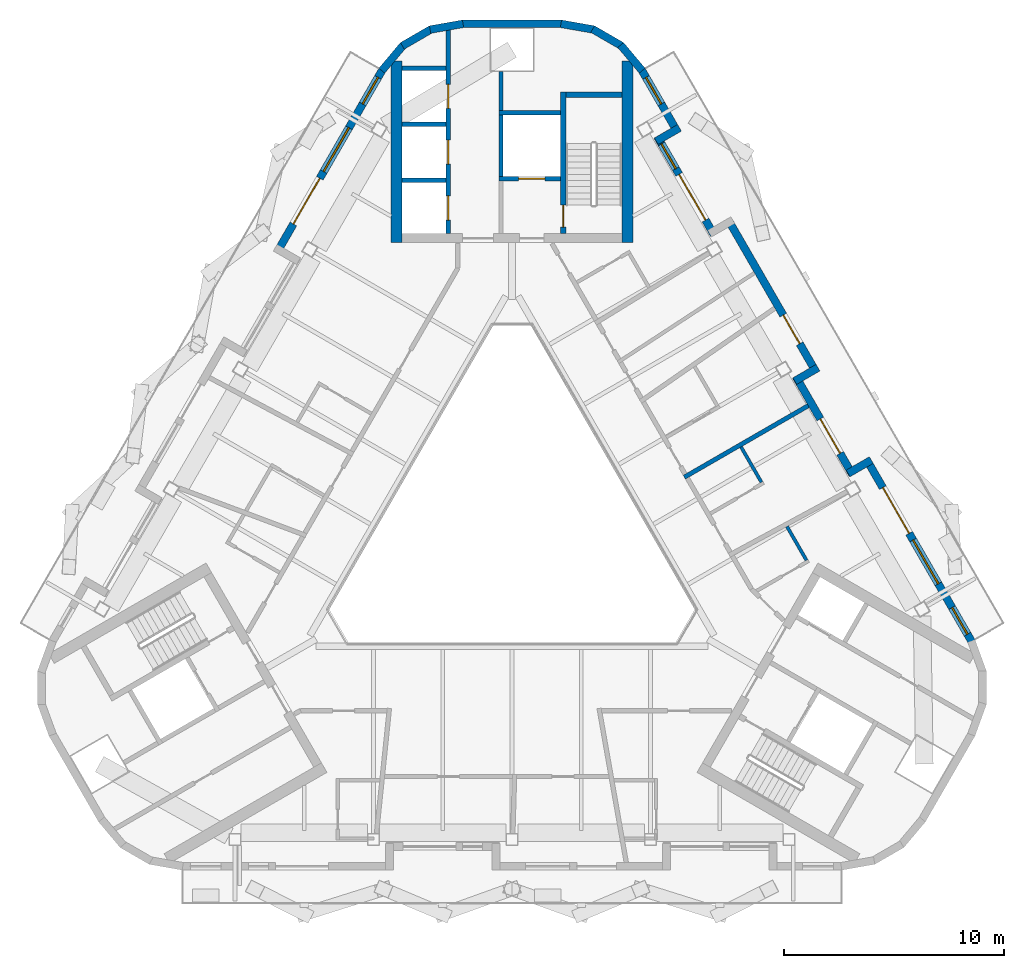
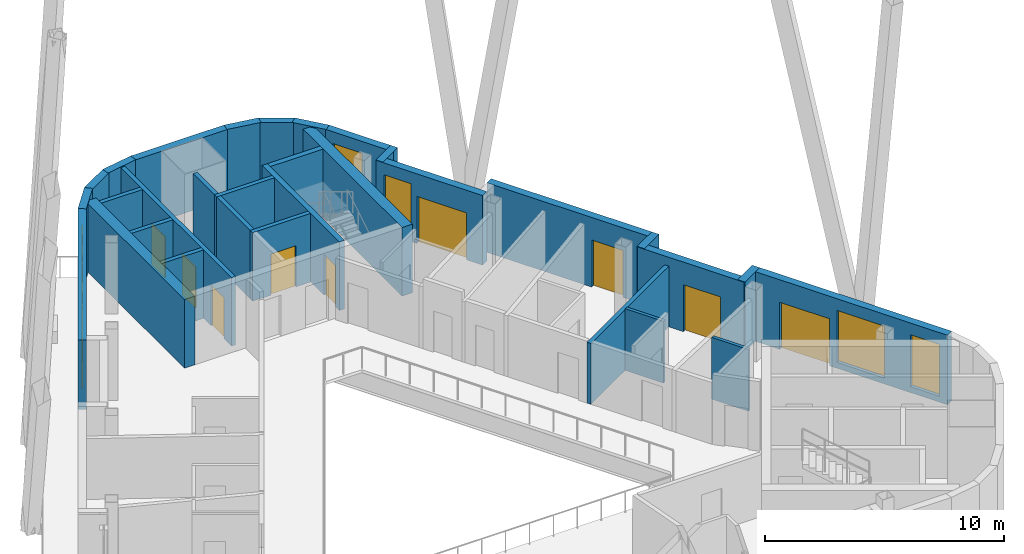
# One storey, part 6 of 12: 31 walls, 10 doors, 6 windows, 16 openings.
"""IFC4 building model written with IfcOpenShell, lengths in metres."""

from ifc_helpers import new_model, si_unit, direction, frame, frame_2d, origin, place, context, subcontext, project, spatial, rectangle, extrude, material, layer, layer_set, type_object, element, fill, save


model = new_model("IFC4")

# Units and contexts
model_context = context("Model", 3, precision=1e-05, world=origin(), true_north=direction((0.0, 1.0)))
body_context = subcontext(model_context, "Body", "Model", "MODEL_VIEW")
ifc_project = project(units=[si_unit("LENGTHUNIT", "METRE"), si_unit("AREAUNIT", "SQUARE_METRE"), si_unit("VOLUMEUNIT", "CUBIC_METRE"), si_unit("PLANEANGLEUNIT", "RADIAN"), si_unit("MASSUNIT", "GRAM", prefix="KILO")], contexts=[model_context])

# Site, building, storey
site_placement = place(None, origin())
site = spatial("IfcSite", under=ifc_project, at=site_placement, CompositionType="ELEMENT")
building_placement = place(site_placement, origin())
building = spatial("IfcBuilding", under=site, at=building_placement, Name="Apuvela Tower Hotel", CompositionType="ELEMENT")
storey_placement = place(building_placement, frame((0.0, 0.0, 324.39990234375)))
storey = spatial("IfcBuildingStorey", under=building, at=storey_placement, Name="L81", CompositionType="ELEMENT", Elevation=324.39990234375)

# Walls
ifc_material_1 = material(Name="Concrete C50/60", Category="concrete")
ifc_layer_1 = layer(ifc_material_1, 0.5)
ifc_layer_set_1 = layer_set([ifc_layer_1], Name="COR-WALL-CORE-500")
wall_type_1 = type_object("IfcWallType", Name="COR-WALL-CORE-500", PredefinedType="SHEAR", material=ifc_layer_set_1)
for number, where, z_axis, x_axis, name in (
    (1, (5.25, 12.89990234375, 0.0), (0.0, 0.0, 1.0), (0.0, 1.0, 0.0), "Core wall N"),
    (2, (-5.25, 12.89990234375, 0.0), (0.0, 0.0, 1.0), (0.0, 1.0, 0.0), "Core wall N"),
):
    element("IfcWall", number, at=place(storey_placement, frame(where, z_axis=z_axis, x_axis=x_axis)), inside=storey, type_object=wall_type_1, Name=name, PredefinedType="SHEAR", context=body_context, shape_type="SweptSolid", body=[
        extrude(rectangle(XDim=8.26708984375, YDim=0.5, at=frame_2d((4.133544921875, 0.0))), origin(), (0.0, 0.0, 1.0), 3.5),
    ])
ifc_layer_2 = layer(ifc_material_1, 0.199951171875)
ifc_layer_set_2 = layer_set([ifc_layer_2], Name="COR-WALL-SHAFT-200")
wall_type_2 = type_object("IfcWallType", Name="COR-WALL-SHAFT-200", PredefinedType="SHEAR", material=ifc_layer_set_2)
wall_1_placement = place(storey_placement, frame((2.199951171875, 18.800048828125, 0.0), z_axis=(0.0, 0.0, 1.0), x_axis=(-1.0, 0.0, 0.0)))
element("IfcWall", 3, at=wall_1_placement, inside=storey, type_object=wall_type_2, Name="Shaft wall N", PredefinedType="SHEAR", context=body_context, shape_type="SweptSolid", body=[
    extrude(rectangle(XDim=2.800048828125, YDim=0.199951171875, at=frame_2d((1.39990234375, 0.0))), origin(), (0.0, 0.0, 1.0), 3.5),
])

# Wall, opening, door
wall_2_placement = place(storey_placement, frame((2.199951171875, 15.800048828125, 0.0), z_axis=(0.0, 0.0, 1.0), x_axis=(-1.0, 0.0, 0.0)))
wall_2 = element("IfcWall", 4, at=wall_2_placement, inside=storey, type_object=wall_type_2, Name="Shaft wall N", PredefinedType="SHEAR", context=body_context, shape_type="SweptSolid", body=[
    extrude(rectangle(XDim=2.800048828125, YDim=0.199951171875, at=frame_2d((1.39990234375, 0.0))), origin(), (0.0, 0.0, 1.0), 3.5),
])
opening_1_placement = place(wall_2_placement, frame((0.699951171875, 0.0, 0.0)))
opening_1 = element("IfcOpeningElement", 5, at=opening_1_placement, cuts=wall_2, Name="Opening N-LD-FS1", PredefinedType="OPENING", context=body_context, shape_type="SweptSolid", body=[
    extrude(rectangle(XDim=1.199951171875, YDim=2.10009765625, at=frame_2d((0.60009765625, 1.050048828125))), frame((0.0, 0.10986328125, 0.0), z_axis=(0.0, -1.0, 0.0), x_axis=(1.0, 0.0, 0.0)), (0.0, 0.0, 1.0), 0.219970703125),
])
ifc_material_2 = material(Name="Stainless steel lift landing door", Category="steel")
door_type_1 = type_object("IfcDoorType", Name="COR-LD-1200", OperationType="DOUBLE_DOOR_SLIDING", PredefinedType="DOOR", material=ifc_material_2)
door_1_placement = place(opening_1_placement, origin())
door_1 = element("IfcDoor", 6, at=door_1_placement, inside=storey, type_object=door_type_1, Name="Lift landing door N-LD-FS1", OperationType="DOUBLE_DOOR_SLIDING", OverallHeight=2.10009765625, OverallWidth=1.199951171875, PredefinedType="DOOR", context=body_context, shape_type="SweptSolid", body=[
    extrude(rectangle(XDim=1.199951171875, YDim=2.10009765625, at=frame_2d((0.60009765625, 1.050048828125))), frame((0.0, 0.02490234375, 0.0), z_axis=(0.0, -1.0, 0.0), x_axis=(1.0, 0.0, 0.0)), (0.0, 0.0, 1.0), 0.050048828125),
])
fill(opening_1, door_1)

# Wall
wall_3_placement = place(storey_placement, frame((-0.5, 15.89990234375, 0.0), z_axis=(0.0, 0.0, 1.0), x_axis=(0.0, 1.0, 0.0)))
element("IfcWall", 7, at=wall_3_placement, inside=storey, type_object=wall_type_2, Name="Shaft wall N", PredefinedType="SHEAR", context=body_context, shape_type="SweptSolid", body=[
    extrude(rectangle(XDim=2.800048828125, YDim=0.199951171875, at=frame_2d((1.39990234375, 0.0))), origin(), (0.0, 0.0, 1.0), 3.5),
])

# Wall, openings, doors
wall_4_placement = place(storey_placement, frame((-2.89990234375, 13.300048828125, 0.0), z_axis=(0.0, 0.0, 1.0), x_axis=(0.0, 1.0, 0.0)))
wall_4 = element("IfcWall", 8, at=wall_4_placement, inside=storey, type_object=wall_type_2, Name="Shaft wall N", PredefinedType="SHEAR", context=body_context, shape_type="SweptSolid", body=[
    extrude(rectangle(XDim=9.272705078125, YDim=0.199951171875, at=frame_2d((4.63623046875, 0.0))), origin(), (0.0, 0.0, 1.0), 3.5),
])
opening_2_placement = place(wall_4_placement, frame((0.6201171875, 0.0, 0.0)))
opening_2 = element("IfcOpeningElement", 9, at=opening_2_placement, cuts=wall_4, Name="Opening N-LD-HR1", PredefinedType="OPENING", context=body_context, shape_type="SweptSolid", body=[
    extrude(rectangle(XDim=1.10009765625, YDim=2.10009765625, at=frame_2d((0.550048828125, 1.050048828125))), frame((0.0, 0.10986328125, 0.0), z_axis=(0.0, -1.0, 0.0), x_axis=(1.0, 0.0, 0.0)), (0.0, 0.0, 1.0), 0.219970703125),
])
opening_3_placement = place(wall_4_placement, frame((3.159912109375, 0.0, 0.0)))
opening_3 = element("IfcOpeningElement", 10, at=opening_3_placement, cuts=wall_4, Name="Opening N-LD-HR2", PredefinedType="OPENING", context=body_context, shape_type="SweptSolid", body=[
    extrude(rectangle(XDim=1.10009765625, YDim=2.10009765625, at=frame_2d((0.550048828125, 1.050048828125))), frame((0.0, 0.10986328125, 0.0), z_axis=(0.0, -1.0, 0.0), x_axis=(1.0, 0.0, 0.0)), (0.0, 0.0, 1.0), 0.219970703125),
])
opening_4_placement = place(wall_4_placement, frame((5.699951171875, 0.0, 0.0)))
opening_4 = element("IfcOpeningElement", 11, at=opening_4_placement, cuts=wall_4, Name="Opening N-LD-HR4", PredefinedType="OPENING", context=body_context, shape_type="SweptSolid", body=[
    extrude(rectangle(XDim=1.10009765625, YDim=2.10009765625, at=frame_2d((0.550048828125, 1.050048828125))), frame((0.0, 0.10986328125, 0.0), z_axis=(0.0, -1.0, 0.0), x_axis=(1.0, 0.0, 0.0)), (0.0, 0.0, 1.0), 0.219970703125),
])
door_type_2 = type_object("IfcDoorType", Name="COR-LD-1100", OperationType="DOUBLE_DOOR_SLIDING", PredefinedType="DOOR", material=ifc_material_2)
door_2_placement = place(opening_2_placement, origin())
door_2 = element("IfcDoor", 12, at=door_2_placement, inside=storey, type_object=door_type_2, Name="Lift landing door N-LD-HR1", OperationType="DOUBLE_DOOR_SLIDING", OverallHeight=2.10009765625, OverallWidth=1.10009765625, PredefinedType="DOOR", context=body_context, shape_type="SweptSolid", body=[
    extrude(rectangle(XDim=1.10009765625, YDim=2.10009765625, at=frame_2d((0.550048828125, 1.050048828125))), frame((0.0, 0.02490234375, 0.0), z_axis=(0.0, -1.0, 0.0), x_axis=(1.0, 0.0, 0.0)), (0.0, 0.0, 1.0), 0.050048828125),
])
fill(opening_2, door_2)
door_3_placement = place(opening_3_placement, origin())
door_3 = element("IfcDoor", 13, at=door_3_placement, inside=storey, type_object=door_type_2, Name="Lift landing door N-LD-HR2", OperationType="DOUBLE_DOOR_SLIDING", OverallHeight=2.10009765625, OverallWidth=1.10009765625, PredefinedType="DOOR", context=body_context, shape_type="SweptSolid", body=[
    extrude(rectangle(XDim=1.10009765625, YDim=2.10009765625, at=frame_2d((0.550048828125, 1.050048828125))), frame((0.0, 0.02490234375, 0.0), z_axis=(0.0, -1.0, 0.0), x_axis=(1.0, 0.0, 0.0)), (0.0, 0.0, 1.0), 0.050048828125),
])
fill(opening_3, door_3)
door_4_placement = place(opening_4_placement, origin())
door_4 = element("IfcDoor", 14, at=door_4_placement, inside=storey, type_object=door_type_2, Name="Lift landing door N-LD-HR4", OperationType="DOUBLE_DOOR_SLIDING", OverallHeight=2.10009765625, OverallWidth=1.10009765625, PredefinedType="DOOR", context=body_context, shape_type="SweptSolid", body=[
    extrude(rectangle(XDim=1.10009765625, YDim=2.10009765625, at=frame_2d((0.550048828125, 1.050048828125))), frame((0.0, 0.02490234375, 0.0), z_axis=(0.0, -1.0, 0.0), x_axis=(1.0, 0.0, 0.0)), (0.0, 0.0, 1.0), 0.050048828125),
])
fill(opening_4, door_4)

# Walls
wall_5_placement = place(storey_placement, frame((-0.5, 18.89990234375, 0.0), z_axis=(0.0, 0.0, 1.0), x_axis=(0.0, 1.0, 0.0)))
element("IfcWall", 15, at=wall_5_placement, inside=storey, type_object=wall_type_2, Name="Shaft wall N", PredefinedType="SHEAR", context=body_context, shape_type="SweptSolid", body=[
    extrude(rectangle(XDim=1.77392578125, YDim=0.199951171875, at=frame_2d((0.886962890625, 0.0))), origin(), (0.0, 0.0, 1.0), 3.5),
])
for number, where, z_axis, x_axis, name in (
    (16, (-3.0, 15.739990234375, 0.0), (0.0, 0.0, 1.0), (-1.0, 0.0, 0.0), "Shaft wall N"),
    (17, (-3.0, 18.280029296875, 0.0), (0.0, 0.0, 1.0), (-1.0, 0.0, 0.0), "Shaft wall N"),
    (18, (-3.0, 20.820068359375, 0.0), (0.0, 0.0, 1.0), (-1.0, 0.0, 0.0), "Shaft wall N"),
):
    element("IfcWall", number, at=place(storey_placement, frame(where, z_axis=z_axis, x_axis=x_axis)), inside=storey, type_object=wall_type_2, Name=name, PredefinedType="SHEAR", context=body_context, shape_type="SweptSolid", body=[
        extrude(rectangle(XDim=2.0, YDim=0.199951171875, at=frame_2d((1.0, 0.0))), origin(), (0.0, 0.0, 1.0), 3.5),
    ])

# Wall, opening, door
ifc_layer_3 = layer(ifc_material_1, 0.25)
ifc_layer_set_3 = layer_set([ifc_layer_3], Name="COR-WALL-STAIR-250")
wall_type_3 = type_object("IfcWallType", Name="COR-WALL-STAIR-250", PredefinedType="SHEAR", material=ifc_layer_set_3)
wall_6_placement = place(storey_placement, frame((2.324951171875, 13.300048828125, 0.0), z_axis=(0.0, 0.0, 1.0), x_axis=(0.0, 1.0, 0.0)))
wall_6 = element("IfcWall", 19, at=wall_6_placement, inside=storey, type_object=wall_type_3, Name="Stair wall N", PredefinedType="SHEAR", context=body_context, shape_type="SweptSolid", body=[
    extrude(rectangle(XDim=6.449951171875, YDim=0.25, at=frame_2d((3.22509765625, 0.0))), origin(), (0.0, 0.0, 1.0), 3.5),
])
opening_5_placement = place(wall_6_placement, frame((0.300048828125, 0.0, 0.0)))
opening_5 = element("IfcOpeningElement", 20, at=opening_5_placement, cuts=wall_6, Name="Opening N-SD", PredefinedType="OPENING", context=body_context, shape_type="SweptSolid", body=[
    extrude(rectangle(XDim=1.0, YDim=2.10009765625, at=frame_2d((0.5, 1.050048828125))), frame((0.0, 0.135009765625, 0.0), z_axis=(0.0, -1.0, 0.0), x_axis=(1.0, 0.0, 0.0)), (0.0, 0.0, 1.0), 0.27001953125),
])
ifc_material_3 = material(Name="Steel fire door, powder coated", Category="steel")
door_type_3 = type_object("IfcDoorType", Name="COR-SD-1000", OperationType="NOTDEFINED", PredefinedType="DOOR", material=ifc_material_3)
door_5_placement = place(opening_5_placement, frame((1.0, 0.0, 0.0), z_axis=(0.0, 0.0, 1.0), x_axis=(-1.0, 0.0, 0.0)))
door_5 = element("IfcDoor", 21, at=door_5_placement, inside=storey, type_object=door_type_3, Name="Stair door N-SD", OperationType="SINGLE_SWING_LEFT", OverallHeight=2.10009765625, OverallWidth=1.0, PredefinedType="DOOR", context=body_context, shape_type="SweptSolid", body=[
    extrude(rectangle(XDim=1.0, YDim=2.10009765625, at=frame_2d((0.5, 1.050048828125))), frame((0.0, 0.02490234375, 0.0), z_axis=(0.0, -1.0, 0.0), x_axis=(1.0, 0.0, 0.0)), (0.0, 0.0, 1.0), 0.050048828125),
])
fill(opening_5, door_5)

# Wall
wall_7_placement = place(storey_placement, frame((5.0, 19.625, 0.0), z_axis=(0.0, 0.0, 1.0), x_axis=(-1.0, 0.0, 0.0)))
element("IfcWall", 22, at=wall_7_placement, inside=storey, type_object=wall_type_3, Name="Stair wall N", PredefinedType="SHEAR", context=body_context, shape_type="SweptSolid", body=[
    extrude(rectangle(XDim=2.550048828125, YDim=0.25, at=frame_2d((1.27490234375, 0.0))), origin(), (0.0, 0.0, 1.0), 3.5),
])

# Wall, openings, door, windows
ifc_material_4 = material(Name="Concrete C40/50, dark pigmented precast panel", Category="concrete")
ifc_layer_4 = layer(ifc_material_4, 0.35009765625)
ifc_layer_set_4 = layer_set([ifc_layer_4], Name="ENV-WALL-350")
wall_type_4 = type_object("IfcWallType", Name="ENV-WALL-350", PredefinedType="SOLIDWALL", material=ifc_layer_set_4)
wall_8_placement = place(storey_placement, frame((-5.9052734375, 20.742431640625, 0.0), z_axis=(0.0, 0.0, 1.0), x_axis=(-0.500003254449, -0.866023524819, 0.0)))
wall_8 = element("IfcWall", 23, at=wall_8_placement, inside=storey, type_object=wall_type_4, Name="External wall L81-01", PredefinedType="SOLIDWALL", context=body_context, shape_type="SweptSolid", body=[
    extrude(rectangle(XDim=9.6083984375, YDim=0.35009765625, at=frame_2d((4.80419921875, 0.0))), origin(), (0.0, 0.0, 1.0), 3.550048828125),
])
opening_6_placement = place(wall_8_placement, frame((0.38037109375, 0.0, 0.300048828125)))
opening_6 = element("IfcOpeningElement", 24, at=opening_6_placement, cuts=wall_8, Name="Opening WN14", PredefinedType="OPENING", context=body_context, shape_type="SweptSolid", body=[
    extrude(rectangle(XDim=1.39990234375, YDim=2.64990234375, at=frame_2d((0.699951171875, 1.324951171875))), frame((0.0, 0.18505859375, 0.0), z_axis=(0.0, -1.0, 0.0), x_axis=(1.0, 0.0, 0.0)), (0.0, 0.0, 1.0), 0.3701171875),
])
opening_7_placement = place(wall_8_placement, frame((5.683349609375, 0.0, 0.0)))
opening_7 = element("IfcOpeningElement", 25, at=opening_7_placement, cuts=wall_8, Name="Opening BD24", PredefinedType="OPENING", context=body_context, shape_type="SweptSolid", body=[
    extrude(rectangle(XDim=2.39990234375, YDim=2.39990234375, at=frame_2d((1.199951171875, 1.199951171875))), frame((0.0, 0.18505859375, 0.0), z_axis=(0.0, -1.0, 0.0), x_axis=(1.0, 0.0, 0.0)), (0.0, 0.0, 1.0), 0.3701171875),
])
opening_8_placement = place(wall_8_placement, frame((3.031005859375, 0.0, 0.300048828125)))
opening_8 = element("IfcOpeningElement", 26, at=opening_8_placement, cuts=wall_8, Name="Opening WN23", PredefinedType="OPENING", context=body_context, shape_type="SweptSolid", body=[
    extrude(rectangle(XDim=2.300048828125, YDim=2.64990234375, at=frame_2d((1.14990234375, 1.324951171875))), frame((0.0, 0.18505859375, 0.0), z_axis=(0.0, -1.0, 0.0), x_axis=(1.0, 0.0, 0.0)), (0.0, 0.0, 1.0), 0.3701171875),
])
ifc_material_5 = material(Name="Aluminium 6063-T6, dark bronze anodised frame with dark tinted laminated glass", Category="aluminium")
door_type_4 = type_object("IfcDoorType", Name="ENV-DOOR-BALCONY-2400x2400", OperationType="SLIDING_TO_LEFT", PredefinedType="DOOR", material=ifc_material_5)
door_6_placement = place(opening_7_placement, frame((2.39990234375, 0.0, 0.0), z_axis=(0.0, 0.0, 1.0), x_axis=(-1.0, 0.0, 0.0)))
door_6 = element("IfcDoor", 27, at=door_6_placement, inside=storey, type_object=door_type_4, Name="Balcony door BD24", OperationType="SLIDING_TO_LEFT", OverallHeight=2.39990234375, OverallWidth=2.39990234375, PredefinedType="DOOR", context=body_context, shape_type="SweptSolid", body=[
    extrude(rectangle(XDim=2.39990234375, YDim=2.39990234375, at=frame_2d((1.199951171875, 1.199951171875))), frame((0.0, 0.02490234375, 0.0), z_axis=(0.0, -1.0, 0.0), x_axis=(1.0, 0.0, 0.0)), (0.0, 0.0, 1.0), 0.050048828125),
])
fill(opening_7, door_6)
ifc_material_6 = material(Name="Glass, dark tinted laminated insulated glazing unit", Category="glass")
window_type_1 = type_object("IfcWindowType", Name="ENV-WIN-1400x2650", PartitioningType="SINGLE_PANEL", PredefinedType="WINDOW", material=ifc_material_6)
window_1_placement = place(opening_6_placement, origin())
window_1 = element("IfcWindow", 28, at=window_1_placement, inside=storey, type_object=window_type_1, Name="Window WN14", OverallHeight=2.64990234375, OverallWidth=1.39990234375, PartitioningType="SINGLE_PANEL", PredefinedType="WINDOW", context=body_context, shape_type="SweptSolid", body=[
    extrude(rectangle(XDim=1.39990234375, YDim=2.64990234375, at=frame_2d((0.699951171875, 1.324951171875))), frame((0.0, 0.030029296875, 0.0), z_axis=(0.0, -1.0, 0.0), x_axis=(1.0, 0.0, 0.0)), (0.0, 0.0, 1.0), 0.06005859375),
])
fill(opening_6, window_1)
window_type_2 = type_object("IfcWindowType", Name="ENV-WIN-2300x2650", PartitioningType="SINGLE_PANEL", PredefinedType="WINDOW", material=ifc_material_6)
window_2_placement = place(opening_8_placement, origin())
window_2 = element("IfcWindow", 29, at=window_2_placement, inside=storey, type_object=window_type_2, Name="Window WN23", OverallHeight=2.64990234375, OverallWidth=2.300048828125, PartitioningType="SINGLE_PANEL", PredefinedType="WINDOW", context=body_context, shape_type="SweptSolid", body=[
    extrude(rectangle(XDim=2.300048828125, YDim=2.64990234375, at=frame_2d((1.14990234375, 1.324951171875))), frame((0.0, 0.030029296875, 0.0), z_axis=(0.0, -1.0, 0.0), x_axis=(1.0, 0.0, 0.0)), (0.0, 0.0, 1.0), 0.06005859375),
])
fill(opening_8, window_2)

wall_9_placement = place(storey_placement, frame((20.916259765625, -5.257080078125, 0.0), z_axis=(0.0, 0.0, 1.0), x_axis=(-0.500022310942, 0.866012522173, 0.0)))
wall_9 = element("IfcWall", 30, at=wall_9_placement, inside=storey, type_object=wall_type_4, Name="External wall L81-33", PredefinedType="SOLIDWALL", context=body_context, shape_type="SweptSolid", body=[
    extrude(rectangle(XDim=9.6083984375, YDim=0.35009765625, at=frame_2d((4.80419921875, 0.0))), origin(), (0.0, 0.0, 1.0), 3.550048828125),
])
opening_9_placement = place(wall_9_placement, frame((0.380615234375, 0.0, 0.300048828125)))
opening_9 = element("IfcOpeningElement", 31, at=opening_9_placement, cuts=wall_9, Name="Opening WN14", PredefinedType="OPENING", context=body_context, shape_type="SweptSolid", body=[
    extrude(rectangle(XDim=1.39990234375, YDim=2.64990234375, at=frame_2d((0.699951171875, 1.324951171875))), frame((0.0, 0.18505859375, 0.0), z_axis=(0.0, -1.0, 0.0), x_axis=(1.0, 0.0, 0.0)), (0.0, 0.0, 1.0), 0.3701171875),
])
opening_10_placement = place(wall_9_placement, frame((5.683349609375, 0.0, 0.0)))
opening_10 = element("IfcOpeningElement", 32, at=opening_10_placement, cuts=wall_9, Name="Opening BD24", PredefinedType="OPENING", context=body_context, shape_type="SweptSolid", body=[
    extrude(rectangle(XDim=2.39990234375, YDim=2.39990234375, at=frame_2d((1.199951171875, 1.199951171875))), frame((0.0, 0.18505859375, 0.0), z_axis=(0.0, -1.0, 0.0), x_axis=(1.0, 0.0, 0.0)), (0.0, 0.0, 1.0), 0.3701171875),
])
opening_11_placement = place(wall_9_placement, frame((3.031494140625, 0.0, 0.300048828125)))
opening_11 = element("IfcOpeningElement", 33, at=opening_11_placement, cuts=wall_9, Name="Opening WN23", PredefinedType="OPENING", context=body_context, shape_type="SweptSolid", body=[
    extrude(rectangle(XDim=2.300048828125, YDim=2.64990234375, at=frame_2d((1.14990234375, 1.324951171875))), frame((0.0, 0.18505859375, 0.0), z_axis=(0.0, -1.0, 0.0), x_axis=(1.0, 0.0, 0.0)), (0.0, 0.0, 1.0), 0.3701171875),
])
door_7_placement = place(opening_10_placement, frame((2.39990234375, 0.0, 0.0), z_axis=(0.0, 0.0, 1.0), x_axis=(-1.0, 0.0, 0.0)))
door_7 = element("IfcDoor", 34, at=door_7_placement, inside=storey, type_object=door_type_4, Name="Balcony door BD24", OperationType="SLIDING_TO_LEFT", OverallHeight=2.39990234375, OverallWidth=2.39990234375, PredefinedType="DOOR", context=body_context, shape_type="SweptSolid", body=[
    extrude(rectangle(XDim=2.39990234375, YDim=2.39990234375, at=frame_2d((1.199951171875, 1.199951171875))), frame((0.0, 0.02490234375, 0.0), z_axis=(0.0, -1.0, 0.0), x_axis=(1.0, 0.0, 0.0)), (0.0, 0.0, 1.0), 0.050048828125),
])
fill(opening_10, door_7)
window_3_placement = place(opening_9_placement, origin())
window_3 = element("IfcWindow", 35, at=window_3_placement, inside=storey, type_object=window_type_1, Name="Window WN14", OverallHeight=2.64990234375, OverallWidth=1.39990234375, PartitioningType="SINGLE_PANEL", PredefinedType="WINDOW", context=body_context, shape_type="SweptSolid", body=[
    extrude(rectangle(XDim=1.39990234375, YDim=2.64990234375, at=frame_2d((0.699951171875, 1.324951171875))), frame((0.0, 0.030029296875, 0.0), z_axis=(0.0, -1.0, 0.0), x_axis=(1.0, 0.0, 0.0)), (0.0, 0.0, 1.0), 0.06005859375),
])
fill(opening_9, window_3)
window_4_placement = place(opening_11_placement, origin())
window_4 = element("IfcWindow", 36, at=window_4_placement, inside=storey, type_object=window_type_2, Name="Window WN23", OverallHeight=2.64990234375, OverallWidth=2.300048828125, PartitioningType="SINGLE_PANEL", PredefinedType="WINDOW", context=body_context, shape_type="SweptSolid", body=[
    extrude(rectangle(XDim=2.300048828125, YDim=2.64990234375, at=frame_2d((1.14990234375, 1.324951171875))), frame((0.0, 0.030029296875, 0.0), z_axis=(0.0, -1.0, 0.0), x_axis=(1.0, 0.0, 0.0)), (0.0, 0.0, 1.0), 0.06005859375),
])
fill(opening_11, window_4)

# Wall
wall_10_placement = place(storey_placement, frame((16.35107421875, 3.0, 0.0), z_axis=(0.0, 0.0, 1.0), x_axis=(-0.866005645448, -0.500034220881, 0.0)))
element("IfcWall", 37, at=wall_10_placement, inside=storey, type_object=wall_type_4, Name="External wall L81-34", PredefinedType="SOLIDWALL", context=body_context, shape_type="SweptSolid", body=[
    extrude(rectangle(XDim=1.22021484375, YDim=0.35009765625, at=frame_2d((0.610107421875, 0.0))), origin(), (0.0, 0.0, 1.0), 3.550048828125),
])

# Wall, opening, door
wall_11_placement = place(storey_placement, frame((15.492431640625, 2.3369140625, 0.0), z_axis=(0.0, 0.0, 1.0), x_axis=(-0.499999159329, 0.866025889145, 0.0)))
wall_11 = element("IfcWall", 38, at=wall_11_placement, inside=storey, type_object=wall_type_4, Name="External wall L81-35", PredefinedType="SOLIDWALL", context=body_context, shape_type="SweptSolid", body=[
    extrude(rectangle(XDim=5.142578125, YDim=0.35009765625, at=frame_2d((2.5712890625, 0.0))), origin(), (0.0, 0.0, 1.0), 3.550048828125),
])
opening_12_placement = place(wall_11_placement, frame((1.12158203125, 0.0, 0.0)))
opening_12 = element("IfcOpeningElement", 39, at=opening_12_placement, cuts=wall_11, Name="Opening BD18", PredefinedType="OPENING", context=body_context, shape_type="SweptSolid", body=[
    extrude(rectangle(XDim=1.800048828125, YDim=2.39990234375, at=frame_2d((0.89990234375, 1.199951171875))), frame((0.0, 0.18505859375, 0.0), z_axis=(0.0, -1.0, 0.0), x_axis=(1.0, 0.0, 0.0)), (0.0, 0.0, 1.0), 0.3701171875),
])
door_type_5 = type_object("IfcDoorType", Name="ENV-DOOR-BALCONY-1800x2400", OperationType="SLIDING_TO_LEFT", PredefinedType="DOOR", material=ifc_material_5)
door_8_placement = place(opening_12_placement, frame((1.800048828125, 0.0, 0.0), z_axis=(0.0, 0.0, 1.0), x_axis=(-1.0, 0.0, 0.0)))
door_8 = element("IfcDoor", 40, at=door_8_placement, inside=storey, type_object=door_type_5, Name="Balcony door BD18", OperationType="SLIDING_TO_LEFT", OverallHeight=2.39990234375, OverallWidth=1.800048828125, PredefinedType="DOOR", context=body_context, shape_type="SweptSolid", body=[
    extrude(rectangle(XDim=1.800048828125, YDim=2.39990234375, at=frame_2d((0.89990234375, 1.199951171875))), frame((0.0, 0.02490234375, 0.0), z_axis=(0.0, -1.0, 0.0), x_axis=(1.0, 0.0, 0.0)), (0.0, 0.0, 1.0), 0.050048828125),
])
fill(opening_12, door_8)

# Wall
wall_12_placement = place(storey_placement, frame((12.8681640625, 6.59228515625, 0.0), z_axis=(0.0, 0.0, 1.0), x_axis=(0.866005645448, 0.500034220881, 0.0)))
element("IfcWall", 41, at=wall_12_placement, inside=storey, type_object=wall_type_4, Name="External wall L81-36", PredefinedType="SOLIDWALL", context=body_context, shape_type="SweptSolid", body=[
    extrude(rectangle(XDim=1.22021484375, YDim=0.35009765625, at=frame_2d((0.610107421875, 0.0))), origin(), (0.0, 0.0, 1.0), 3.550048828125),
])

# Wall, opening, door
wall_13_placement = place(storey_placement, frame((13.860595703125, 6.96337890625, 0.0), z_axis=(0.0, 0.0, 1.0), x_axis=(-0.499985896038, 0.866033546558, 0.0)))
wall_13 = element("IfcWall", 42, at=wall_13_placement, inside=storey, type_object=wall_type_4, Name="External wall L81-37", PredefinedType="SOLIDWALL", context=body_context, shape_type="SweptSolid", body=[
    extrude(rectangle(XDim=8.102294921875, YDim=0.35009765625, at=frame_2d((4.05126953125, 0.0))), origin(), (0.0, 0.0, 1.0), 3.550048828125),
])
opening_13_placement = place(wall_13_placement, frame((1.537353515625, 0.0, 0.0)))
opening_13 = element("IfcOpeningElement", 43, at=opening_13_placement, cuts=wall_13, Name="Opening BD15", PredefinedType="OPENING", context=body_context, shape_type="SweptSolid", body=[
    extrude(rectangle(XDim=1.5, YDim=2.39990234375, at=frame_2d((0.75, 1.199951171875))), frame((0.0, 0.18505859375, 0.0), z_axis=(0.0, -1.0, 0.0), x_axis=(1.0, 0.0, 0.0)), (0.0, 0.0, 1.0), 0.3701171875),
])
door_type_6 = type_object("IfcDoorType", Name="ENV-DOOR-BALCONY-1500x2400", OperationType="SLIDING_TO_LEFT", PredefinedType="DOOR", material=ifc_material_5)
door_9_placement = place(opening_13_placement, frame((1.5, 0.0, 0.0), z_axis=(0.0, 0.0, 1.0), x_axis=(-1.0, 0.0, 0.0)))
door_9 = element("IfcDoor", 44, at=door_9_placement, inside=storey, type_object=door_type_6, Name="Balcony door BD15", OperationType="SLIDING_TO_LEFT", OverallHeight=2.39990234375, OverallWidth=1.5, PredefinedType="DOOR", context=body_context, shape_type="SweptSolid", body=[
    extrude(rectangle(XDim=1.5, YDim=2.39990234375, at=frame_2d((0.75, 1.199951171875))), frame((0.0, 0.02490234375, 0.0), z_axis=(0.0, -1.0, 0.0), x_axis=(1.0, 0.0, 0.0)), (0.0, 0.0, 1.0), 0.050048828125),
])
fill(opening_13, door_9)

# Wall, openings, door, window
wall_14_placement = place(storey_placement, frame((9.18994140625, 13.253173828125, 0.0), z_axis=(0.0, 0.0, 1.0), x_axis=(-0.499963552308, 0.866046445846, 0.0)))
wall_14 = element("IfcWall", 45, at=wall_14_placement, inside=storey, type_object=wall_type_4, Name="External wall L81-39", PredefinedType="SOLIDWALL", context=body_context, shape_type="SweptSolid", body=[
    extrude(rectangle(XDim=5.142578125, YDim=0.35009765625, at=frame_2d((2.5712890625, 0.0))), origin(), (0.0, 0.0, 1.0), 3.550048828125),
])
opening_14_placement = place(wall_14_placement, frame((0.77001953125, 0.0, 0.0)))
opening_14 = element("IfcOpeningElement", 46, at=opening_14_placement, cuts=wall_14, Name="Opening BD24", PredefinedType="OPENING", context=body_context, shape_type="SweptSolid", body=[
    extrude(rectangle(XDim=2.39990234375, YDim=2.39990234375, at=frame_2d((1.199951171875, 1.199951171875))), frame((0.0, 0.18505859375, 0.0), z_axis=(0.0, -1.0, 0.0), x_axis=(1.0, 0.0, 0.0)), (0.0, 0.0, 1.0), 0.3701171875),
])
opening_15_placement = place(wall_14_placement, frame((3.469970703125, 0.0, 0.300048828125)))
opening_15 = element("IfcOpeningElement", 47, at=opening_15_placement, cuts=wall_14, Name="Opening WN13", PredefinedType="OPENING", context=body_context, shape_type="SweptSolid", body=[
    extrude(rectangle(XDim=1.300048828125, YDim=2.64990234375, at=frame_2d((0.64990234375, 1.324951171875))), frame((0.0, 0.18505859375, 0.0), z_axis=(0.0, -1.0, 0.0), x_axis=(1.0, 0.0, 0.0)), (0.0, 0.0, 1.0), 0.3701171875),
])
door_10_placement = place(opening_14_placement, frame((2.39990234375, 0.0, 0.0), z_axis=(0.0, 0.0, 1.0), x_axis=(-1.0, 0.0, 0.0)))
door_10 = element("IfcDoor", 48, at=door_10_placement, inside=storey, type_object=door_type_4, Name="Balcony door BD24", OperationType="SLIDING_TO_LEFT", OverallHeight=2.39990234375, OverallWidth=2.39990234375, PredefinedType="DOOR", context=body_context, shape_type="SweptSolid", body=[
    extrude(rectangle(XDim=2.39990234375, YDim=2.39990234375, at=frame_2d((1.199951171875, 1.199951171875))), frame((0.0, 0.02490234375, 0.0), z_axis=(0.0, -1.0, 0.0), x_axis=(1.0, 0.0, 0.0)), (0.0, 0.0, 1.0), 0.050048828125),
])
fill(opening_14, door_10)
window_type_3 = type_object("IfcWindowType", Name="ENV-WIN-1300x2650", PartitioningType="SINGLE_PANEL", PredefinedType="WINDOW", material=ifc_material_6)
window_5_placement = place(opening_15_placement, origin())
window_5 = element("IfcWindow", 49, at=window_5_placement, inside=storey, type_object=window_type_3, Name="Window WN13", OverallHeight=2.64990234375, OverallWidth=1.300048828125, PartitioningType="SINGLE_PANEL", PredefinedType="WINDOW", context=body_context, shape_type="SweptSolid", body=[
    extrude(rectangle(XDim=1.300048828125, YDim=2.64990234375, at=frame_2d((0.64990234375, 1.324951171875))), frame((0.0, 0.030029296875, 0.0), z_axis=(0.0, -1.0, 0.0), x_axis=(1.0, 0.0, 0.0)), (0.0, 0.0, 1.0), 0.06005859375),
])
fill(opening_15, window_5)

# Wall
wall_15_placement = place(storey_placement, frame((6.565673828125, 17.508544921875, 0.0), z_axis=(0.0, 0.0, 1.0), x_axis=(0.866005645448, 0.500034220881, 0.0)))
element("IfcWall", 50, at=wall_15_placement, inside=storey, type_object=wall_type_4, Name="External wall L81-40", PredefinedType="SOLIDWALL", context=body_context, shape_type="SweptSolid", body=[
    extrude(rectangle(XDim=1.22021484375, YDim=0.35009765625, at=frame_2d((0.610107421875, 0.0))), origin(), (0.0, 0.0, 1.0), 3.550048828125),
])

# Wall, opening, window
wall_16_placement = place(storey_placement, frame((7.55810546875, 17.87939453125, 0.0), z_axis=(0.0, 0.0, 1.0), x_axis=(-0.499967508769, 0.866044161793, 0.0)))
wall_16 = element("IfcWall", 51, at=wall_16_placement, inside=storey, type_object=wall_type_4, Name="External wall L81-41", PredefinedType="SOLIDWALL", context=body_context, shape_type="SweptSolid", body=[
    extrude(rectangle(XDim=3.305908203125, YDim=0.35009765625, at=frame_2d((1.65283203125, 0.0))), origin(), (0.0, 0.0, 1.0), 3.550048828125),
])
opening_16_placement = place(wall_16_placement, frame((1.52490234375, 0.0, 0.300048828125)))
opening_16 = element("IfcOpeningElement", 52, at=opening_16_placement, cuts=wall_16, Name="Opening WN14", PredefinedType="OPENING", context=body_context, shape_type="SweptSolid", body=[
    extrude(rectangle(XDim=1.39990234375, YDim=2.64990234375, at=frame_2d((0.699951171875, 1.324951171875))), frame((0.0, 0.18505859375, 0.0), z_axis=(0.0, -1.0, 0.0), x_axis=(1.0, 0.0, 0.0)), (0.0, 0.0, 1.0), 0.3701171875),
])
window_6_placement = place(opening_16_placement, origin())
window_6 = element("IfcWindow", 53, at=window_6_placement, inside=storey, type_object=window_type_1, Name="Window WN14", OverallHeight=2.64990234375, OverallWidth=1.39990234375, PartitioningType="SINGLE_PANEL", PredefinedType="WINDOW", context=body_context, shape_type="SweptSolid", body=[
    extrude(rectangle(XDim=1.39990234375, YDim=2.64990234375, at=frame_2d((0.699951171875, 1.324951171875))), frame((0.0, 0.030029296875, 0.0), z_axis=(0.0, -1.0, 0.0), x_axis=(1.0, 0.0, 0.0)), (0.0, 0.0, 1.0), 0.06005859375),
])
fill(opening_16, window_6)

# Walls
for number, where, z_axis, x_axis, name in (
    (54, (5.9228515625, 20.717529296875, 0.0), (0.0, 0.0, 1.0), (-0.642812493629, 0.766023562323, 0.0), "External wall L81-42"),
    (55, (4.98974609375, 21.845703125, 0.0), (0.0, 0.0, 1.0), (-0.865996139065, 0.500050684555, 0.0), "External wall L81-43"),
):
    element("IfcWall", number, at=place(storey_placement, frame(where, z_axis=z_axis, x_axis=x_axis)), inside=storey, type_object=wall_type_4, Name=name, PredefinedType="SOLIDWALL", context=body_context, shape_type="SweptSolid", body=[
        extrude(rectangle(XDim=1.523681640625, YDim=0.35009765625, at=frame_2d((0.76171875, 0.0))), origin(), (0.0, 0.0, 1.0), 3.550048828125),
    ])
wall_17_placement = place(storey_placement, frame((3.727294921875, 22.5869140625, 0.0), z_axis=(0.0, 0.0, 1.0), x_axis=(-0.984804518596, 0.173666519954, 0.0)))
element("IfcWall", 56, at=wall_17_placement, inside=storey, type_object=wall_type_4, Name="External wall L81-44", PredefinedType="SOLIDWALL", context=body_context, shape_type="SweptSolid", body=[
    extrude(rectangle(XDim=1.52392578125, YDim=0.35009765625, at=frame_2d((0.761962890625, 0.0))), origin(), (0.0, 0.0, 1.0), 3.550048828125),
])
wall_18_placement = place(storey_placement, frame((2.2568359375, 22.848876953125, 0.0), z_axis=(0.0, 0.0, 1.0), x_axis=(-1.0, 0.0, 0.0)))
element("IfcWall", 57, at=wall_18_placement, inside=storey, type_object=wall_type_4, Name="External wall L81-45", PredefinedType="SOLIDWALL", context=body_context, shape_type="SweptSolid", body=[
    extrude(rectangle(XDim=4.513671875, YDim=0.35009765625, at=frame_2d((2.2568359375, 0.0))), origin(), (0.0, 0.0, 1.0), 3.550048828125),
])
wall_19_placement = place(storey_placement, frame((-2.2265625, 22.8515625, 0.0), z_axis=(0.0, 0.0, 1.0), x_axis=(-0.984804518596, -0.173666519954, 0.0)))
element("IfcWall", 58, at=wall_19_placement, inside=storey, type_object=wall_type_4, Name="External wall L81-46", PredefinedType="SOLIDWALL", context=body_context, shape_type="SweptSolid", body=[
    extrude(rectangle(XDim=1.52392578125, YDim=0.35009765625, at=frame_2d((0.761962890625, 0.0))), origin(), (0.0, 0.0, 1.0), 3.550048828125),
])
for number, where, z_axis, x_axis, name in (
    (59, (-3.670166015625, 22.607666015625, 0.0), (0.0, 0.0, 1.0), (-0.865996139065, -0.500050684555, 0.0), "External wall L81-47"),
    (60, (-4.943359375, 21.884765625, 0.0), (0.0, 0.0, 1.0), (-0.642812493629, -0.766023562323, 0.0), "External wall L81-48"),
):
    element("IfcWall", number, at=place(storey_placement, frame(where, z_axis=z_axis, x_axis=x_axis)), inside=storey, type_object=wall_type_4, Name=name, PredefinedType="SOLIDWALL", context=body_context, shape_type="SweptSolid", body=[
        extrude(rectangle(XDim=1.523681640625, YDim=0.35009765625, at=frame_2d((0.76171875, 0.0))), origin(), (0.0, 0.0, 1.0), 3.550048828125),
    ])
ifc_material_7 = material(Name="Gypsum board partition on twin steel stud", Category="steel")
ifc_layer_5 = layer(ifc_material_7, 0.199951171875)
ifc_layer_set_5 = layer_set([ifc_layer_5], Name="GST-PW1")
wall_type_5 = type_object("IfcWallType", Name="GST-PW1", PredefinedType="PARTITIONING", material=ifc_layer_set_5)
wall_20_placement = place(storey_placement, frame((13.479736328125, 5.47314453125, 0.0), z_axis=(0.0, 0.0, 1.0), x_axis=(-0.866030715483, -0.499990799755, 0.0)))
element("IfcWall", 61, at=wall_20_placement, inside=storey, type_object=wall_type_5, Name="L81 partition 05", PredefinedType="PARTITIONING", context=body_context, shape_type="SweptSolid", body=[
    extrude(rectangle(XDim=6.51025390625, YDim=0.199951171875, at=frame_2d((3.255126953125, 0.0))), origin(), (0.0, 0.0, 1.0), 3.10009765625),
])
ifc_material_8 = material(Name="Moisture-resistant gypsum board wet wall on steel stud", Category="steel")
ifc_layer_6 = layer(ifc_material_8, 0.14990234375)
ifc_layer_set_6 = layer_set([ifc_layer_6], Name="GST-PW3")
wall_type_6 = type_object("IfcWallType", Name="GST-PW3", PredefinedType="PARTITIONING", material=ifc_layer_set_6)
wall_21_placement = place(storey_placement, frame((13.399658203125, -1.55908203125, 0.0), z_axis=(0.0, 0.0, 1.0), x_axis=(-0.499988586725, 0.866031993141, 0.0)))
element("IfcWall", 62, at=wall_21_placement, inside=storey, type_object=wall_type_6, Name="L81 partition 24", PredefinedType="PARTITIONING", context=body_context, shape_type="SweptSolid", body=[
    extrude(rectangle(XDim=1.7734375, YDim=0.14990234375, at=frame_2d((0.88671875, 0.0))), origin(), (0.0, 0.0, 1.0), 3.150146484375),
])
wall_22_placement = place(storey_placement, frame((11.349609375, 1.99169921875, 0.0), z_axis=(0.0, 0.0, 1.0), x_axis=(-0.49994333299, 0.866058118026, 0.0)))
element("IfcWall", 63, at=wall_22_placement, inside=storey, type_object=wall_type_6, Name="L81 partition 27", PredefinedType="PARTITIONING", context=body_context, shape_type="SweptSolid", body=[
    extrude(rectangle(XDim=1.849853515625, YDim=0.14990234375, at=frame_2d((0.9248046875, 0.0))), origin(), (0.0, 0.0, 1.0), 3.150146484375),
])

save(model, "model.ifc")
